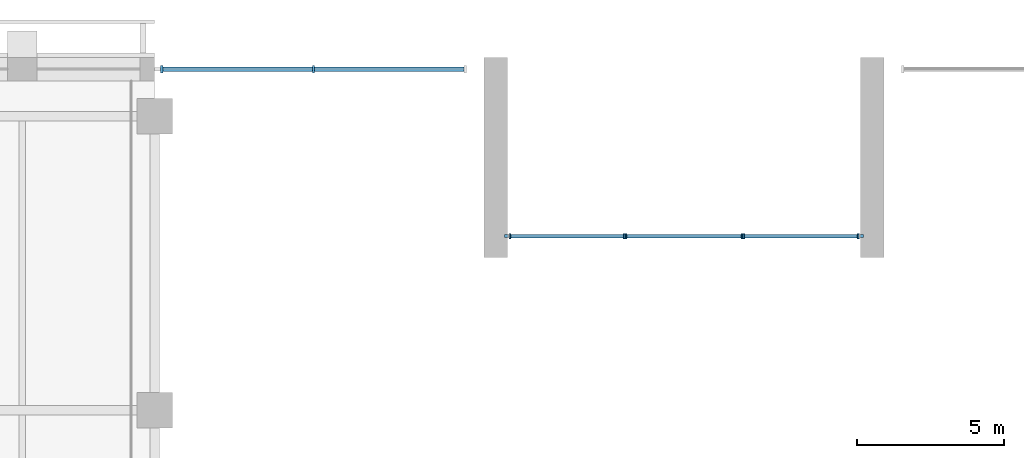
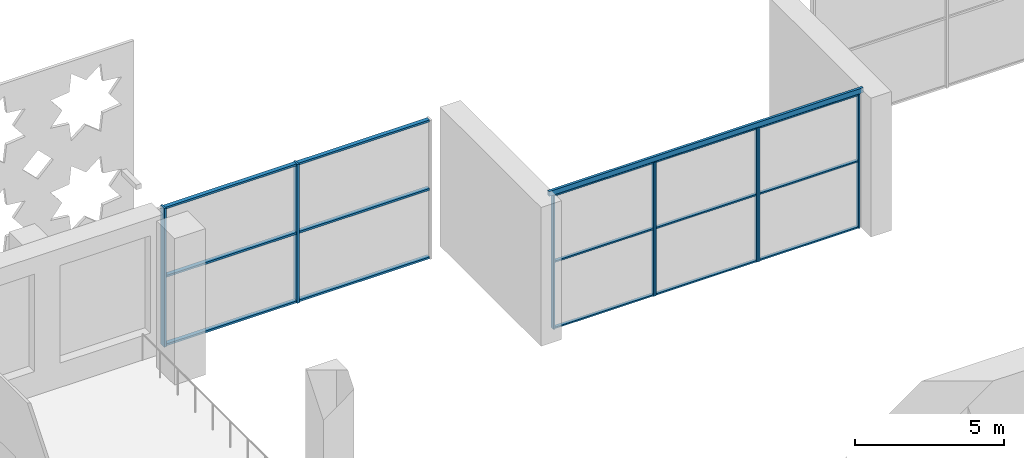
# One storey, part 2 of 17: 24 members, 4 elements without a shape of their own.
"""IFC4 building model written with IfcOpenShell, lengths in metres."""

from ifc_helpers import new_model, si_unit, direction, frame, origin, origin_2d, place, context, subcontext, project, spatial, rectangle, extrude, material, material_profile, profile_set, type_object, element, aggregate, save


model = new_model("IFC4")

# Units and contexts
model_context = context("Model", 3, precision=1e-05, world=origin(), true_north=direction((0.0, 1.0)))
body_context = subcontext(model_context, "Body", "Model", "MODEL_VIEW")
ifc_project = project(units=[si_unit("LENGTHUNIT", "METRE"), si_unit("AREAUNIT", "SQUARE_METRE"), si_unit("VOLUMEUNIT", "CUBIC_METRE"), si_unit("PLANEANGLEUNIT", "RADIAN"), si_unit("MASSUNIT", "GRAM", prefix="KILO")], contexts=[model_context])

# Site, building, storey
site_placement = place(None, origin())
site = spatial("IfcSite", under=ifc_project, at=site_placement, CompositionType="ELEMENT")
building_placement = place(site_placement, origin())
building = spatial("IfcBuilding", under=site, at=building_placement, Name="Zellij Exchange Tower", CompositionType="ELEMENT")
storey_placement = place(building_placement, frame((0.0, 0.0, 9.0)))
storey = spatial("IfcBuildingStorey", under=building, at=storey_placement, Name="L01", CompositionType="ELEMENT", Elevation=9.0)

# Curtain wall, members
ifc_material_1 = material(Name="Aluminium frame, clear insulating glass", Category="aluminium")
curtain_wall_type_1 = type_object("IfcCurtainWallType", Name="ENV-CW3 Exchange-hall glazing", PredefinedType="NOTDEFINED", material=ifc_material_1)
curtain_wall_1_placement = place(storey_placement, origin())
curtain_wall_1 = element("IfcCurtainWall", 1, at=curtain_wall_1_placement, inside=storey, type_object=curtain_wall_type_1, Name="cw.L01.14c", PredefinedType="NOTDEFINED")
ifc_material_2 = material(Name="Aluminium", Category="aluminium")
ifc_material_profile_1 = material_profile(ifc_material_2, rectangle(XDim=0.080078125, YDim=0.25, at=origin_2d()), Name="AL 80x250")
ifc_profile_set_1 = profile_set([ifc_material_profile_1], Name="Aluminium")
member_type_1 = type_object("IfcMemberType", Name="ENV-CW3M Mullion 80x250", PredefinedType="MULLION", material=ifc_profile_set_1)
member_1_placement = place(storey_placement, frame((-12.60009765625, 19.60009765625, 0.0), z_axis=(0.0, 0.0, 1.0), x_axis=(-1.0, 0.0, 0.0)))
member_1 = element("IfcMember", 2, at=member_1_placement, type_object=member_type_1, Name="CW3 mullion 2", PredefinedType="MULLION", context=body_context, shape_type="SweptSolid", body=[
    extrude(rectangle(XDim=0.080078125, YDim=0.25, at=origin_2d()), origin(), (0.0, 0.0, 1.0), 5.699951171875),
])
member_2_placement = place(storey_placement, frame((-17.760009765625, 19.60009765625, 0.0), z_axis=(0.0, 0.0, 1.0), x_axis=(-1.0, 0.0, 0.0)))
member_2 = element("IfcMember", 3, at=member_2_placement, type_object=member_type_1, Name="CW3 mullion 3", PredefinedType="MULLION", context=body_context, shape_type="SweptSolid", body=[
    extrude(rectangle(XDim=0.080078125, YDim=0.25, at=origin_2d()), origin(), (0.0, 0.0, 1.0), 5.699951171875),
])
ifc_material_profile_2 = material_profile(ifc_material_2, rectangle(XDim=0.159912109375, YDim=0.080078125, at=origin_2d()), Name="AL 160x80")
ifc_profile_set_2 = profile_set([ifc_material_profile_2], Name="Aluminium")
member_type_2 = type_object("IfcMemberType", Name="ENV-CW3T Transom 160x80", PredefinedType="USERDEFINED", material=ifc_profile_set_2)
member_3_placement = place(storey_placement, frame((-7.47998046875, 19.60009765625, 0.0400390625), z_axis=(-1.0, 0.0, 0.0), x_axis=(0.0, -1.0, 0.0)))
member_3 = element("IfcMember", 4, at=member_3_placement, type_object=member_type_2, Name="CW3 transom 1.1", ObjectType="TRANSOM", PredefinedType="USERDEFINED", context=body_context, shape_type="SweptSolid", body=[
    extrude(rectangle(XDim=0.159912109375, YDim=0.080078125, at=origin_2d()), origin(), (0.0, 0.0, 1.0), 5.080078125),
])
member_4_placement = place(storey_placement, frame((-7.47998046875, 19.60009765625, 2.85009765625), z_axis=(-1.0, 0.0, 0.0), x_axis=(0.0, -1.0, 0.0)))
member_4 = element("IfcMember", 5, at=member_4_placement, type_object=member_type_2, Name="CW3 transom 1.2", ObjectType="TRANSOM", PredefinedType="USERDEFINED", context=body_context, shape_type="SweptSolid", body=[
    extrude(rectangle(XDim=0.159912109375, YDim=0.080078125, at=origin_2d()), origin(), (0.0, 0.0, 1.0), 5.080078125),
])
member_5_placement = place(storey_placement, frame((-7.47998046875, 19.60009765625, 5.659912109375), z_axis=(-1.0, 0.0, 0.0), x_axis=(0.0, -1.0, 0.0)))
member_5 = element("IfcMember", 6, at=member_5_placement, type_object=member_type_2, Name="CW3 transom 1.3", ObjectType="TRANSOM", PredefinedType="USERDEFINED", context=body_context, shape_type="SweptSolid", body=[
    extrude(rectangle(XDim=0.159912109375, YDim=0.080078125, at=origin_2d()), origin(), (0.0, 0.0, 1.0), 5.080078125),
])
member_6_placement = place(storey_placement, frame((-12.639892578125, 19.60009765625, 0.0400390625), z_axis=(-1.0, 0.0, 0.0), x_axis=(0.0, -1.0, 0.0)))
member_6 = element("IfcMember", 7, at=member_6_placement, type_object=member_type_2, Name="CW3 transom 2.1", ObjectType="TRANSOM", PredefinedType="USERDEFINED", context=body_context, shape_type="SweptSolid", body=[
    extrude(rectangle(XDim=0.159912109375, YDim=0.080078125, at=origin_2d()), origin(), (0.0, 0.0, 1.0), 5.080078125),
])
member_7_placement = place(storey_placement, frame((-12.639892578125, 19.60009765625, 2.85009765625), z_axis=(-1.0, 0.0, 0.0), x_axis=(0.0, -1.0, 0.0)))
member_7 = element("IfcMember", 8, at=member_7_placement, type_object=member_type_2, Name="CW3 transom 2.2", ObjectType="TRANSOM", PredefinedType="USERDEFINED", context=body_context, shape_type="SweptSolid", body=[
    extrude(rectangle(XDim=0.159912109375, YDim=0.080078125, at=origin_2d()), origin(), (0.0, 0.0, 1.0), 5.080078125),
])
member_8_placement = place(storey_placement, frame((-12.639892578125, 19.60009765625, 5.659912109375), z_axis=(-1.0, 0.0, 0.0), x_axis=(0.0, -1.0, 0.0)))
member_8 = element("IfcMember", 9, at=member_8_placement, type_object=member_type_2, Name="CW3 transom 2.3", ObjectType="TRANSOM", PredefinedType="USERDEFINED", context=body_context, shape_type="SweptSolid", body=[
    extrude(rectangle(XDim=0.159912109375, YDim=0.080078125, at=origin_2d()), origin(), (0.0, 0.0, 1.0), 5.080078125),
])
aggregate(curtain_wall_1, [member_1, member_2, member_3, member_4, member_5, member_6, member_7, member_8])

ifc_material_3 = material(Name="Aluminium frame, clear laminated glass", Category="aluminium")
curtain_wall_type_2 = type_object("IfcCurtainWallType", Name="ENV-CW4 Iwan portal glazing", PredefinedType="NOTDEFINED", material=ifc_material_3)
curtain_wall_2_placement = place(storey_placement, origin())
curtain_wall_2 = element("IfcCurtainWall", 10, at=curtain_wall_2_placement, inside=storey, type_object=curtain_wall_type_2, Name="cw.L01.iwan.Na", PredefinedType="NOTDEFINED")
ifc_material_profile_3 = material_profile(ifc_material_2, rectangle(XDim=0.06005859375, YDim=0.159912109375, at=origin_2d()), Name="AL 60x160")
ifc_profile_set_3 = profile_set([ifc_material_profile_3], Name="Aluminium")
member_type_3 = type_object("IfcMemberType", Name="ENV-CW4M Mullion 60x160", PredefinedType="MULLION", material=ifc_profile_set_3)
member_9_placement = place(storey_placement, frame((-5.919921875, 13.919921875, 0.0), z_axis=(0.0, 0.0, 1.0), x_axis=(1.0, 0.0, 0.0)))
member_9 = element("IfcMember", 11, at=member_9_placement, type_object=member_type_3, Name="CW4 mullion 1", PredefinedType="MULLION", context=body_context, shape_type="SweptSolid", body=[
    extrude(rectangle(XDim=0.06005859375, YDim=0.159912109375, at=origin_2d()), origin(), (0.0, 0.0, 1.0), 5.5),
])
member_10_placement = place(storey_placement, frame((-2.030029296875, 13.919921875, 0.0), z_axis=(0.0, 0.0, 1.0), x_axis=(1.0, 0.0, 0.0)))
member_10 = element("IfcMember", 12, at=member_10_placement, type_object=member_type_3, Name="CW4 mullion 2", PredefinedType="MULLION", context=body_context, shape_type="SweptSolid", body=[
    extrude(rectangle(XDim=0.06005859375, YDim=0.159912109375, at=origin_2d()), origin(), (0.0, 0.0, 1.0), 5.5),
])

curtain_wall_3_placement = place(storey_placement, origin())
curtain_wall_3 = element("IfcCurtainWall", 13, at=curtain_wall_3_placement, inside=storey, type_object=curtain_wall_type_2, Name="cw.L01.iwan.Nb", PredefinedType="NOTDEFINED")
member_11_placement = place(storey_placement, frame((-1.969970703125, 13.919921875, 0.0), z_axis=(0.0, 0.0, 1.0), x_axis=(1.0, 0.0, 0.0)))
member_11 = element("IfcMember", 14, at=member_11_placement, type_object=member_type_3, Name="CW4 mullion 1", PredefinedType="MULLION", context=body_context, shape_type="SweptSolid", body=[
    extrude(rectangle(XDim=0.06005859375, YDim=0.159912109375, at=origin_2d()), origin(), (0.0, 0.0, 1.0), 5.5),
])
member_12_placement = place(storey_placement, frame((1.969970703125, 13.919921875, 0.0), z_axis=(0.0, 0.0, 1.0), x_axis=(1.0, 0.0, 0.0)))
member_12 = element("IfcMember", 15, at=member_12_placement, type_object=member_type_3, Name="CW4 mullion 2", PredefinedType="MULLION", context=body_context, shape_type="SweptSolid", body=[
    extrude(rectangle(XDim=0.06005859375, YDim=0.159912109375, at=origin_2d()), origin(), (0.0, 0.0, 1.0), 5.5),
])

curtain_wall_4_placement = place(storey_placement, origin())
curtain_wall_4 = element("IfcCurtainWall", 16, at=curtain_wall_4_placement, inside=storey, type_object=curtain_wall_type_2, Name="cw.L01.iwan.Nc", PredefinedType="NOTDEFINED")
member_13_placement = place(storey_placement, frame((2.030029296875, 13.919921875, 0.0), z_axis=(0.0, 0.0, 1.0), x_axis=(1.0, 0.0, 0.0)))
member_13 = element("IfcMember", 17, at=member_13_placement, type_object=member_type_3, Name="CW4 mullion 1", PredefinedType="MULLION", context=body_context, shape_type="SweptSolid", body=[
    extrude(rectangle(XDim=0.06005859375, YDim=0.159912109375, at=origin_2d()), origin(), (0.0, 0.0, 1.0), 5.5),
])
member_14_placement = place(storey_placement, frame((5.919921875, 13.919921875, 0.0), z_axis=(0.0, 0.0, 1.0), x_axis=(1.0, 0.0, 0.0)))
member_14 = element("IfcMember", 18, at=member_14_placement, type_object=member_type_3, Name="CW4 mullion 2", PredefinedType="MULLION", context=body_context, shape_type="SweptSolid", body=[
    extrude(rectangle(XDim=0.06005859375, YDim=0.159912109375, at=origin_2d()), origin(), (0.0, 0.0, 1.0), 5.5),
])

# Member
ifc_material_profile_4 = material_profile(ifc_material_2, rectangle(XDim=0.1201171875, YDim=0.06005859375, at=origin_2d()), Name="AL 120x60")
ifc_profile_set_4 = profile_set([ifc_material_profile_4], Name="Aluminium")
member_type_4 = type_object("IfcMemberType", Name="ENV-CW4T Transom 120x60", PredefinedType="USERDEFINED", material=ifc_profile_set_4)
member_15_placement = place(storey_placement, frame((-5.889892578125, 13.919921875, 0.030029296875), z_axis=(1.0, 0.0, 0.0), x_axis=(0.0, 1.0, 0.0)))
member_15 = element("IfcMember", 19, at=member_15_placement, type_object=member_type_4, Name="CW4 transom 1.1", ObjectType="TRANSOM", PredefinedType="USERDEFINED", context=body_context, shape_type="SweptSolid", body=[
    extrude(rectangle(XDim=0.1201171875, YDim=0.06005859375, at=origin_2d()), origin(), (0.0, 0.0, 1.0), 3.829833984375),
])

member_16_placement = place(storey_placement, frame((-5.889892578125, 13.919921875, 2.75), z_axis=(1.0, 0.0, 0.0), x_axis=(0.0, 1.0, 0.0)))
member_16 = element("IfcMember", 20, at=member_16_placement, type_object=member_type_4, Name="CW4 transom 1.2", ObjectType="TRANSOM", PredefinedType="USERDEFINED", context=body_context, shape_type="SweptSolid", body=[
    extrude(rectangle(XDim=0.1201171875, YDim=0.06005859375, at=origin_2d()), origin(), (0.0, 0.0, 1.0), 3.829833984375),
])

member_17_placement = place(storey_placement, frame((-5.889892578125, 13.919921875, 5.469970703125), z_axis=(1.0, 0.0, 0.0), x_axis=(0.0, 1.0, 0.0)))
member_17 = element("IfcMember", 21, at=member_17_placement, type_object=member_type_4, Name="CW4 transom 1.3", ObjectType="TRANSOM", PredefinedType="USERDEFINED", context=body_context, shape_type="SweptSolid", body=[
    extrude(rectangle(XDim=0.1201171875, YDim=0.06005859375, at=origin_2d()), origin(), (0.0, 0.0, 1.0), 3.829833984375),
])

aggregate(curtain_wall_2, [member_9, member_10, member_15, member_16, member_17])

member_18_placement = place(storey_placement, frame((-1.93994140625, 13.919921875, 0.030029296875), z_axis=(1.0, 0.0, 0.0), x_axis=(0.0, 1.0, 0.0)))
member_18 = element("IfcMember", 22, at=member_18_placement, type_object=member_type_4, Name="CW4 transom 1.1", ObjectType="TRANSOM", PredefinedType="USERDEFINED", context=body_context, shape_type="SweptSolid", body=[
    extrude(rectangle(XDim=0.1201171875, YDim=0.06005859375, at=origin_2d()), origin(), (0.0, 0.0, 1.0), 3.8798828125),
])

member_19_placement = place(storey_placement, frame((-1.93994140625, 13.919921875, 2.75), z_axis=(1.0, 0.0, 0.0), x_axis=(0.0, 1.0, 0.0)))
member_19 = element("IfcMember", 23, at=member_19_placement, type_object=member_type_4, Name="CW4 transom 1.2", ObjectType="TRANSOM", PredefinedType="USERDEFINED", context=body_context, shape_type="SweptSolid", body=[
    extrude(rectangle(XDim=0.1201171875, YDim=0.06005859375, at=origin_2d()), origin(), (0.0, 0.0, 1.0), 3.8798828125),
])

member_20_placement = place(storey_placement, frame((-1.93994140625, 13.919921875, 5.469970703125), z_axis=(1.0, 0.0, 0.0), x_axis=(0.0, 1.0, 0.0)))
member_20 = element("IfcMember", 24, at=member_20_placement, type_object=member_type_4, Name="CW4 transom 1.3", ObjectType="TRANSOM", PredefinedType="USERDEFINED", context=body_context, shape_type="SweptSolid", body=[
    extrude(rectangle(XDim=0.1201171875, YDim=0.06005859375, at=origin_2d()), origin(), (0.0, 0.0, 1.0), 3.8798828125),
])

member_21_placement = place(storey_placement, frame((2.06005859375, 13.919921875, 0.030029296875), z_axis=(1.0, 0.0, 0.0), x_axis=(0.0, 1.0, 0.0)))
member_21 = element("IfcMember", 25, at=member_21_placement, type_object=member_type_4, Name="CW4 transom 1.1", ObjectType="TRANSOM", PredefinedType="USERDEFINED", context=body_context, shape_type="SweptSolid", body=[
    extrude(rectangle(XDim=0.1201171875, YDim=0.06005859375, at=origin_2d()), origin(), (0.0, 0.0, 1.0), 3.829833984375),
])

member_22_placement = place(storey_placement, frame((2.06005859375, 13.919921875, 2.75), z_axis=(1.0, 0.0, 0.0), x_axis=(0.0, 1.0, 0.0)))
member_22 = element("IfcMember", 26, at=member_22_placement, type_object=member_type_4, Name="CW4 transom 1.2", ObjectType="TRANSOM", PredefinedType="USERDEFINED", context=body_context, shape_type="SweptSolid", body=[
    extrude(rectangle(XDim=0.1201171875, YDim=0.06005859375, at=origin_2d()), origin(), (0.0, 0.0, 1.0), 3.829833984375),
])

member_23_placement = place(storey_placement, frame((2.06005859375, 13.919921875, 5.469970703125), z_axis=(1.0, 0.0, 0.0), x_axis=(0.0, 1.0, 0.0)))
member_23 = element("IfcMember", 27, at=member_23_placement, type_object=member_type_4, Name="CW4 transom 1.3", ObjectType="TRANSOM", PredefinedType="USERDEFINED", context=body_context, shape_type="SweptSolid", body=[
    extrude(rectangle(XDim=0.1201171875, YDim=0.06005859375, at=origin_2d()), origin(), (0.0, 0.0, 1.0), 3.829833984375),
])

aggregate(curtain_wall_4, [member_13, member_14, member_21, member_22, member_23])

ifc_material_4 = material(Name="Steel ASTM A572 Gr 50", Category="steel")
ifc_material_profile_5 = material_profile(ifc_material_4, rectangle(XDim=0.10009765625, YDim=0.199951171875, at=origin_2d()), Name="HT 100x200")
ifc_profile_set_5 = profile_set([ifc_material_profile_5], Name="Steel ASTM A572 Gr 50")
member_type_5 = type_object("IfcMemberType", Name="ENV-HT1 Iwan head track 100x200", PredefinedType="USERDEFINED", material=ifc_profile_set_5)
member_24_placement = place(storey_placement, frame((-6.10009765625, 13.919921875, 5.60009765625), z_axis=(1.0, 0.0, 0.0), x_axis=(0.0, 1.0, 0.0)))
member_24 = element("IfcMember", 28, at=member_24_placement, type_object=member_type_5, Name="Iwan head track", ObjectType="TRANSOM", PredefinedType="USERDEFINED", context=body_context, shape_type="SweptSolid", body=[
    extrude(rectangle(XDim=0.10009765625, YDim=0.199951171875, at=origin_2d()), origin(), (0.0, 0.0, 1.0), 12.2001953125),
])

aggregate(curtain_wall_3, [member_11, member_12, member_18, member_19, member_20, member_24])

save(model, "model.ifc")
